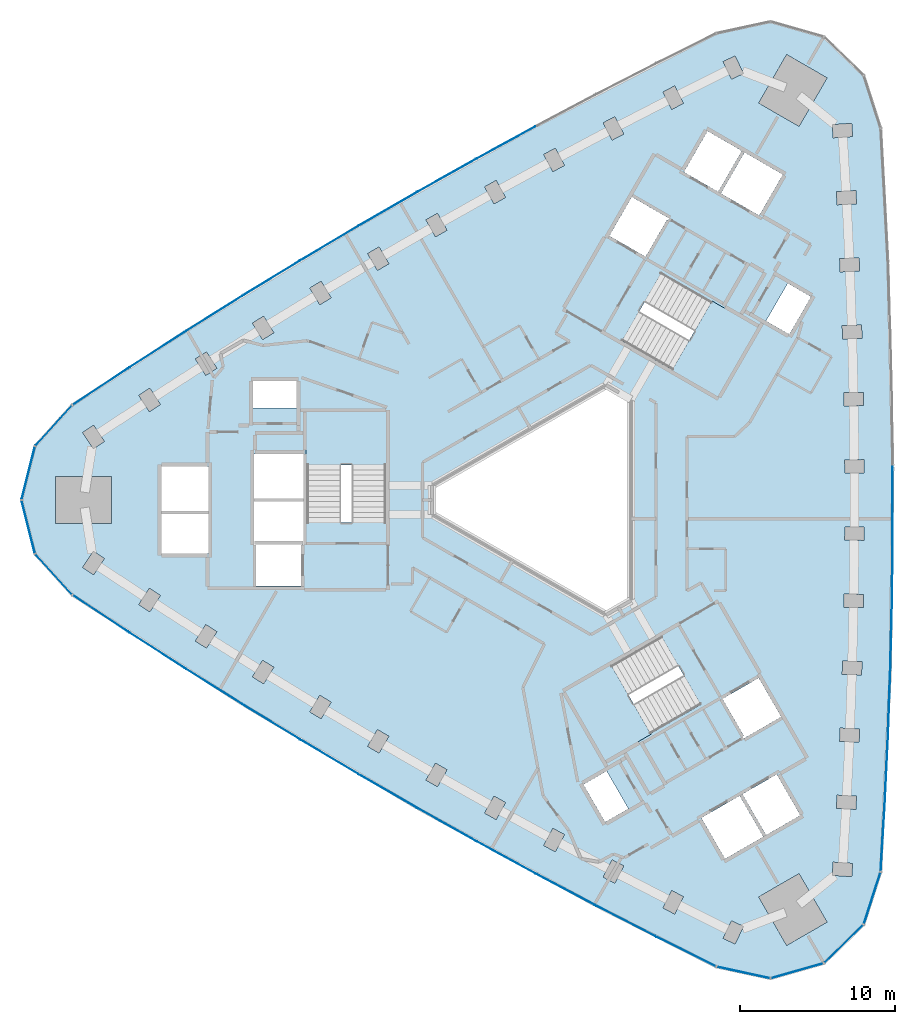
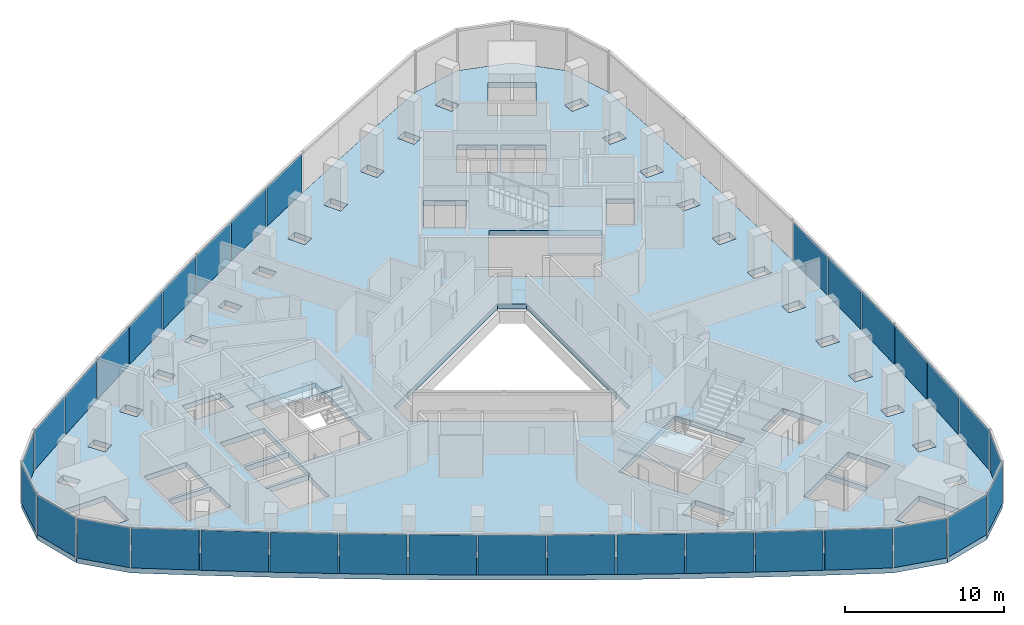
# One storey, part 6 of 12: 33 plates, 4 slabs, 6 elements without a shape of their own.
"""IFC4 building model written with IfcOpenShell, lengths in metres."""

from ifc_helpers import new_model, si_unit, direction, frame, origin, origin_2d, place, context, subcontext, project, spatial, polyline, rectangle, outline, extrude, material, layer, layer_set, type_object, element, aggregate, save


model = new_model("IFC4")

# Units and contexts
model_context = context("Model", 3, precision=1e-05, world=origin(), true_north=direction((0.0, 1.0)))
body_context = subcontext(model_context, "Body", "Model", "MODEL_VIEW")
ifc_project = project(units=[si_unit("LENGTHUNIT", "METRE"), si_unit("AREAUNIT", "SQUARE_METRE"), si_unit("VOLUMEUNIT", "CUBIC_METRE"), si_unit("PLANEANGLEUNIT", "RADIAN"), si_unit("MASSUNIT", "GRAM", prefix="KILO")], contexts=[model_context])

# Site, building, storey
site_placement = place(None, origin())
site = spatial("IfcSite", under=ifc_project, at=site_placement, CompositionType="ELEMENT")
building_placement = place(site_placement, origin())
building = spatial("IfcBuilding", under=site, at=building_placement, Name="Tamra Quay Hotel Tower", CompositionType="ELEMENT")
storey_placement = place(building_placement, frame((0.0, 0.0, 154.0)))
storey = spatial("IfcBuildingStorey", under=building, at=storey_placement, Name="L38", CompositionType="ELEMENT", Elevation=154.0)

# Stair, slab
ifc_material_1 = material(Name="Exit stair 2200 24 risers 150.0 going 342")
stair_type = type_object("IfcStairType", Name="Exit stair 2200 24 risers 150.0 going 342", PredefinedType="HALF_TURN_STAIR", material=ifc_material_1)
stair_1_placement = place(storey_placement, origin())
stair_1 = element("IfcStair", 1, at=stair_1_placement, inside=storey, type_object=stair_type, Name="L38 Exit stair ST3", PredefinedType="HALF_TURN_STAIR")
ifc_material_2 = material(Name="Concrete M70", Category="concrete")
ifc_layer_1 = layer(ifc_material_2, 0.175048828125)
ifc_layer_set_1 = layer_set([ifc_layer_1], Name="Concrete M70 stair landing 180")
slab_type_1 = type_object("IfcSlabType", Name="Concrete M70 stair landing 180", PredefinedType="LANDING", material=ifc_layer_set_1)
slab_1_placement = place(storey_placement, frame((0.0, 0.0, 1.625)))
slab_1 = element("IfcSlab", 2, at=slab_1_placement, type_object=slab_type_1, Name="ST3 landing 1", PredefinedType="LANDING", context=body_context, shape_type="SweptSolid", body=[
    extrude(outline(polyline([(-10.932373046875, 2.261962890625), (-10.932373046875, 5.679931640625), (-16.09130859375, 5.679931640625), (-16.09130859375, 2.261962890625), (-10.932373046875, 2.261962890625)])), origin(), (0.0, 0.0, 1.0), 0.175048828125),
])
aggregate(stair_1, [slab_1])

stair_2_placement = place(storey_placement, origin())
stair_2 = element("IfcStair", 3, at=stair_2_placement, inside=storey, type_object=stair_type, Name="L38 Exit stair ST1", PredefinedType="HALF_TURN_STAIR")
slab_2_placement = place(storey_placement, frame((0.0, 0.0, 1.625)))
slab_2 = element("IfcSlab", 4, at=slab_2_placement, type_object=slab_type_1, Name="ST1 landing 1", PredefinedType="LANDING", context=body_context, shape_type="SweptSolid", body=[
    extrude(outline(polyline([(7.425048828125, 8.336669921875), (10.385009765625, 6.627685546875), (12.964599609375, 11.095458984375), (10.00439453125, 12.804443359375), (7.425048828125, 8.336669921875)])), origin(), (0.0, 0.0, 1.0), 0.175048828125),
])
aggregate(stair_2, [slab_2])

stair_3_placement = place(storey_placement, origin())
stair_3 = element("IfcStair", 5, at=stair_3_placement, inside=storey, type_object=stair_type, Name="L38 Exit stair ST2", PredefinedType="HALF_TURN_STAIR")
slab_3_placement = place(storey_placement, frame((0.0, 0.0, 1.625)))
slab_3 = element("IfcSlab", 6, at=slab_3_placement, type_object=slab_type_1, Name="ST2 landing 1", PredefinedType="LANDING", context=body_context, shape_type="SweptSolid", body=[
    extrude(outline(polyline([(3.50732421875, -10.5986328125), (0.547119140625, -12.3076171875), (3.126708984375, -16.775390625), (6.086669921875, -15.06640625), (3.50732421875, -10.5986328125)])), origin(), (0.0, 0.0, 1.0), 0.175048828125),
])
aggregate(stair_3, [slab_3])

# Slab
ifc_material_3 = material(Name="Concrete M60", Category="concrete")
ifc_layer_2 = layer(ifc_material_3, 0.39990234375)
ifc_layer_set_2 = layer_set([ifc_layer_2], Name="FLOOR SLAB PT 400")
slab_type_2 = type_object("IfcSlabType", Name="FLOOR SLAB PT 400", PredefinedType="FLOOR", material=ifc_layer_set_2)
slab_4_placement = place(storey_placement, frame((0.0, 0.0, -0.39990234375)))
element("IfcSlab", 7, at=slab_4_placement, inside=storey, type_object=slab_type_2, Name="SLAB-L38", PredefinedType="FLOOR", context=body_context, shape_type="SweptSolid", body=[
    extrude(outline(polyline([(21.11181640625, 19.57421875), (21.319580078125, 15.228271484375), (21.4755859375, 10.87841796875), (21.57958984375, 6.527099609375), (21.631591796875, 2.17626953125), (21.631591796875, -2.17626953125), (21.57958984375, -6.527099609375), (21.4755859375, -10.87841796875), (21.319580078125, -15.228271484375), (21.11181640625, -19.57421875), (20.852294921875, -23.918212890625), (19.76171875, -27.31201171875), (17.199951171875, -29.791259765625), (13.772216796875, -30.770263671875), (10.28759765625, -30.017578125), (6.39599609375, -28.0703125), (2.5283203125, -26.077392578125), (-1.31689453125, -24.03759765625), (-5.13720703125, -21.951904296875), (-8.930908203125, -19.821533203125), (-12.700439453125, -17.645263671875), (-16.4423828125, -15.4248046875), (-20.15869140625, -13.1591796875), (-23.84765625, -10.84912109375), (-27.507568359375, -8.49609375), (-31.139892578125, -6.099365234375), (-33.53369140625, -3.4580078125), (-34.39990234375, 0.0), (-33.53369140625, 3.4580078125), (-31.139892578125, 6.099365234375), (-27.507568359375, 8.49609375), (-23.84765625, 10.84912109375), (-20.15869140625, 13.1591796875), (-16.4423828125, 15.4248046875), (-12.700439453125, 17.645263671875), (-8.930908203125, 19.821533203125), (-5.13720703125, 21.951904296875), (-1.31689453125, 24.03759765625), (2.5283203125, 26.077392578125), (6.39599609375, 28.0703125), (10.28759765625, 30.017578125), (13.772216796875, 30.770263671875), (17.199951171875, 29.791259765625), (19.76171875, 27.31201171875), (20.852294921875, 23.918212890625), (21.11181640625, 19.57421875)]), holes=[polyline([(-12.1396484375, -15.846435546875), (-11.406005859375, -16.27587890625), (-10.7744140625, -15.197265625), (-11.5078125, -14.767578125), (-12.1396484375, -15.846435546875)]), polyline([(-15.216796875, -12.561279296875), (-15.86083984375, -13.632568359375), (-15.13232421875, -14.0703125), (-14.48828125, -12.9990234375), (-15.216796875, -12.561279296875)]), polyline([(-18.898193359375, -10.310791015625), (-19.55517578125, -11.3740234375), (-18.83203125, -11.82080078125), (-18.175048828125, -10.757568359375), (-18.898193359375, -10.310791015625)]), polyline([(-22.55224609375, -8.016357421875), (-23.222412109375, -9.071533203125), (-22.5048828125, -9.527099609375), (-21.834716796875, -8.471923828125), (-22.55224609375, -8.016357421875)]), polyline([(-26.179931640625, -5.678466796875), (-26.862060546875, -6.725830078125), (-26.149658203125, -7.189697265625), (-25.467529296875, -6.142333984375), (-26.179931640625, -5.678466796875)]), polyline([(-16.3173828125, -2.85498046875), (-19.4072265625, -2.85498046875), (-19.4072265625, -2.89306640625), (-19.307373046875, -2.89306640625), (-19.307373046875, -5.544921875), (-16.417236328125, -5.544921875), (-16.417236328125, -2.89306640625), (-16.3173828125, -2.89306640625), (-16.3173828125, -2.85498046875)]), polyline([(-29.77880859375, -3.297607421875), (-30.473388671875, -4.3369140625), (-29.7666015625, -4.80908203125), (-29.072021484375, -3.77001953125), (-29.77880859375, -3.297607421875)]), polyline([(-22.3671875, -0.905029296875), (-25.4072265625, -0.905029296875), (-25.4072265625, -3.445068359375), (-22.3671875, -3.445068359375), (-22.3671875, -0.905029296875)]), polyline([(-19.417236328125, -2.89306640625), (-19.417236328125, -2.64501953125), (-16.307373046875, -2.64501953125), (-16.307373046875, -2.89306640625), (-16.26708984375, -2.89306640625), (-16.26708984375, -0.10498046875), (-19.45751953125, -0.10498046875), (-19.45751953125, -2.89306640625), (-19.417236328125, -2.89306640625)]), polyline([(-28.6142578125, 1.5), (-32.214111328125, 1.5), (-32.214111328125, -1.5), (-28.6142578125, -1.5), (-28.6142578125, 1.5)]), polyline([(-25.4072265625, -0.695068359375), (-22.3671875, -0.695068359375), (-22.3671875, 2.14501953125), (-25.4072265625, 2.14501953125), (-25.4072265625, -0.695068359375)]), polyline([(-19.45751953125, 0.10498046875), (-16.26708984375, 0.10498046875), (-16.26708984375, 2.945068359375), (-19.45751953125, 2.945068359375), (-19.45751953125, 0.10498046875)]), polyline([(-16.036376953125, -1.455078125), (-10.9873046875, -1.455078125), (-10.9873046875, 5.625), (-16.036376953125, 5.625), (-16.036376953125, -1.455078125)]), polyline([(-29.072021484375, 3.77001953125), (-29.7666015625, 4.80908203125), (-30.473388671875, 4.3369140625), (-29.77880859375, 3.297607421875), (-29.072021484375, 3.77001953125)]), polyline([(-26.149658203125, 7.189697265625), (-26.862060546875, 6.725830078125), (-26.179931640625, 5.678466796875), (-25.467529296875, 6.142333984375), (-26.149658203125, 7.189697265625)]), polyline([(-16.71728515625, 7.64501953125), (-19.50732421875, 7.64501953125), (-19.50732421875, 5.9150390625), (-16.71728515625, 5.9150390625), (-16.71728515625, 7.64501953125)]), polyline([(-21.834716796875, 8.471923828125), (-22.5048828125, 9.527099609375), (-23.222412109375, 9.071533203125), (-22.55224609375, 8.016357421875), (-21.834716796875, 8.471923828125)]), polyline([(-18.175048828125, 10.757568359375), (-18.83203125, 11.82080078125), (-19.55517578125, 11.3740234375), (-18.898193359375, 10.310791015625), (-18.175048828125, 10.757568359375)]), polyline([(-14.48828125, 12.9990234375), (-15.13232421875, 14.0703125), (-15.86083984375, 13.632568359375), (-15.216796875, 12.561279296875), (-14.48828125, 12.9990234375)]), polyline([(7.414306640625, -25.126708984375), (6.848388671875, -26.2412109375), (7.606201171875, -26.626220703125), (8.17236328125, -25.51171875), (7.414306640625, -25.126708984375)]), polyline([(3.580322265625, -23.1455078125), (3.00146484375, -24.25341796875), (3.7548828125, -24.64697265625), (4.333740234375, -23.5390625), (3.580322265625, -23.1455078125)]), polyline([(-0.821044921875, -22.219482421875), (-0.072509765625, -22.622314453125), (0.519775390625, -21.521484375), (-0.228759765625, -21.118896484375), (-0.821044921875, -22.219482421875)]), polyline([(13.3056640625, -21.65576171875), (11.78564453125, -19.02294921875), (9.325927734375, -20.443115234375), (10.845947265625, -23.075927734375), (13.3056640625, -21.65576171875)]), polyline([(-4.01318359375, -19.046875), (-4.619140625, -20.14013671875), (-3.875732421875, -20.55224609375), (-3.269775390625, -19.458740234375), (-4.01318359375, -19.046875)]), polyline([(1.73779296875, -18.300048828125), (3.1328125, -20.71630859375), (4.631103515625, -19.851318359375), (3.236083984375, -17.43505859375), (1.73779296875, -18.300048828125)]), polyline([(-7.77392578125, -16.9296875), (-8.392333984375, -18.01611328125), (-7.653564453125, -18.436279296875), (-7.035400390625, -17.35009765625), (-7.77392578125, -16.9296875)]), polyline([(9.2783203125, -13.160400390625), (6.75390625, -8.78759765625), (0.622314453125, -12.32763671875), (3.146728515625, -16.7001953125), (9.2783203125, -13.160400390625)]), polyline([(3.199951171875, 7.39013671875), (-8.0, 0.923828125), (-8.0, -0.923828125), (3.199951171875, -7.39013671875), (4.800048828125, -6.46630859375), (4.800048828125, 6.46630859375), (3.199951171875, 7.39013671875)]), polyline([(4.2333984375, 10.242919921875), (10.364990234375, 6.702880859375), (12.889404296875, 11.075439453125), (6.758056640625, 14.615478515625), (4.2333984375, 10.242919921875)]), polyline([(-10.7744140625, 15.197265625), (-11.406005859375, 16.27587890625), (-12.1396484375, 15.846435546875), (-11.5078125, 14.767578125), (-10.7744140625, 15.197265625)]), polyline([(5.736083984375, 15.645263671875), (7.111083984375, 18.02685546875), (7.19775390625, 17.976806640625), (7.267578125, 18.09814453125), (4.8515625, 19.4931640625), (3.406494140625, 16.990234375), (5.736083984375, 15.645263671875)]), polyline([(-7.035400390625, 17.35009765625), (-7.653564453125, 18.436279296875), (-8.392333984375, 18.01611328125), (-7.77392578125, 16.9296875), (-7.035400390625, 17.35009765625)]), polyline([(-3.269775390625, 19.458740234375), (-3.875732421875, 20.55224609375), (-4.619140625, 20.14013671875), (-4.01318359375, 19.046875), (-3.269775390625, 19.458740234375)]), polyline([(8.2001953125, 21.093017578125), (10.39990234375, 19.822998046875), (11.919921875, 22.455810546875), (9.72021484375, 23.725830078125), (8.2001953125, 21.093017578125)]), polyline([(0.519775390625, 21.521484375), (-0.072509765625, 22.622314453125), (-0.821044921875, 22.219482421875), (-0.228759765625, 21.118896484375), (0.519775390625, 21.521484375)]), polyline([(3.7548828125, 24.64697265625), (3.00146484375, 24.25341796875), (3.580322265625, 23.1455078125), (4.333740234375, 23.5390625), (3.7548828125, 24.64697265625)]), polyline([(8.17236328125, 25.51171875), (7.606201171875, 26.626220703125), (6.848388671875, 26.2412109375), (7.414306640625, 25.126708984375), (8.17236328125, 25.51171875)]), polyline([(12.03369140625, 27.43798828125), (11.480712890625, 28.55908203125), (10.718505859375, 28.18310546875), (11.271240234375, 27.06201171875), (12.03369140625, 27.43798828125)]), polyline([(11.271240234375, -27.06201171875), (10.718505859375, -28.18310546875), (11.480712890625, -28.55908203125), (12.03369140625, -27.43798828125), (11.271240234375, -27.06201171875)]), polyline([(13.008056640625, -25.53076171875), (14.80810546875, -28.648193359375), (17.406005859375, -27.148193359375), (15.606201171875, -24.03076171875), (13.008056640625, -25.53076171875)]), polyline([(17.7451171875, -24.140380859375), (18.99267578125, -24.22216796875), (19.048095703125, -23.3740234375), (17.80078125, -23.292236328125), (17.7451171875, -24.140380859375)]), polyline([(14.1669921875, -17.648193359375), (11.96728515625, -18.91796875), (13.487548828125, -21.55078125), (15.68701171875, -20.281005859375), (14.1669921875, -17.648193359375)]), polyline([(19.255859375, -19.900146484375), (19.301513671875, -19.051513671875), (18.05322265625, -18.984375), (18.007568359375, -19.833251953125), (19.255859375, -19.900146484375)]), polyline([(18.218505859375, -15.5224609375), (19.46728515625, -15.5751953125), (19.50341796875, -14.72607421875), (18.25439453125, -14.67333984375), (18.218505859375, -15.5224609375)]), polyline([(10.68115234375, -12.790283203125), (12.05615234375, -15.171875), (11.969482421875, -15.2216796875), (12.03955078125, -15.343017578125), (14.455810546875, -13.947998046875), (13.0107421875, -11.4453125), (10.68115234375, -12.790283203125)]), polyline([(18.37841796875, -11.2109375), (19.627685546875, -11.248291015625), (19.6533203125, -10.398681640625), (18.40380859375, -10.361328125), (18.37841796875, -11.2109375)]), polyline([(18.48681640625, -6.897705078125), (19.736572265625, -6.919677734375), (19.75146484375, -6.06982421875), (18.501708984375, -6.0478515625), (18.48681640625, -6.897705078125)]), polyline([(18.543212890625, -2.582275390625), (19.793212890625, -2.590087890625), (19.79833984375, -1.739990234375), (18.54833984375, -1.732421875), (18.543212890625, -2.582275390625)]), polyline([(18.54833984375, 1.732421875), (19.79833984375, 1.739990234375), (19.793212890625, 2.590087890625), (18.543212890625, 2.582275390625), (18.54833984375, 1.732421875)]), polyline([(18.501708984375, 6.0478515625), (19.75146484375, 6.06982421875), (19.736572265625, 6.919677734375), (18.48681640625, 6.897705078125), (18.501708984375, 6.0478515625)]), polyline([(18.40380859375, 10.361328125), (19.6533203125, 10.398681640625), (19.627685546875, 11.248291015625), (18.37841796875, 11.2109375), (18.40380859375, 10.361328125)]), polyline([(14.9794921875, 10.655029296875), (16.37451171875, 13.0712890625), (14.876220703125, 13.936279296875), (13.481201171875, 11.52001953125), (14.9794921875, 10.655029296875)]), polyline([(18.25439453125, 14.67333984375), (19.50341796875, 14.72607421875), (19.46728515625, 15.5751953125), (18.218505859375, 15.5224609375), (18.25439453125, 14.67333984375)]), polyline([(18.05322265625, 18.984375), (19.301513671875, 19.051513671875), (19.255859375, 19.900146484375), (18.007568359375, 19.833251953125), (18.05322265625, 18.984375)]), polyline([(12.101806640625, 22.350830078125), (10.58154296875, 19.718017578125), (13.041259765625, 18.298095703125), (14.561279296875, 20.930908203125), (12.101806640625, 22.350830078125)]), polyline([(17.80078125, 23.292236328125), (19.048095703125, 23.3740234375), (18.99267578125, 24.22216796875), (17.7451171875, 24.140380859375), (17.80078125, 23.292236328125)]), polyline([(15.606201171875, 24.03076171875), (17.406005859375, 27.148193359375), (14.80810546875, 28.648193359375), (13.008056640625, 25.53076171875), (15.606201171875, 24.03076171875)])]), origin(), (0.0, 0.0, 1.0), 0.39990234375),
])

# Curtain wall, plates
ifc_material_4 = material(Name="Aluminium 6063 anodised dark grey", Category="aluminium")
curtain_wall_type_1 = type_object("IfcCurtainWallType", Name="CW1 CURTAIN WALL", PredefinedType="NOTDEFINED", material=ifc_material_4)
curtain_wall_1_placement = place(storey_placement, origin())
curtain_wall_1 = element("IfcCurtainWall", 8, at=curtain_wall_1_placement, inside=storey, type_object=curtain_wall_type_1, Name="CW1 east face L38", PredefinedType="NOTDEFINED")
ifc_material_5 = material(Name="Glass clear laminated low-iron", Category="glass")
ifc_layer_3 = layer(ifc_material_5, 0.031982421875)
ifc_layer_set_3 = layer_set([ifc_layer_3], Name="GLASS PANEL CW1 Z3")
plate_type_1 = type_object("IfcPlateType", Name="GLASS PANEL CW1 Z3", PredefinedType="CURTAIN_PANEL", material=ifc_layer_set_3)
plate_1_placement = place(storey_placement, frame((20.98193359375, -21.74609375, 0.0), z_axis=(0.0, 0.0, 1.0), x_axis=(0.059641629271, 0.998219853568, 0.0)))
plate_1 = element("IfcPlate", 9, at=plate_1_placement, type_object=plate_type_1, Name="CW1 glass L38.E.1", PredefinedType="CURTAIN_PANEL", context=body_context, shape_type="SweptSolid", body=[
    extrude(rectangle(XDim=4.251708984375, YDim=0.031982421875, at=origin_2d()), origin(), (0.0, 0.0, 1.0), 3.06005859375),
])
plate_2_placement = place(storey_placement, frame((21.215576171875, -17.401123046875, 0.0), z_axis=(0.0, 0.0, 1.0), x_axis=(0.047747439326, 0.998859440581, 0.0)))
plate_2 = element("IfcPlate", 10, at=plate_2_placement, type_object=plate_type_1, Name="CW1 glass L38.E.2", PredefinedType="CURTAIN_PANEL", context=body_context, shape_type="SweptSolid", body=[
    extrude(rectangle(XDim=4.2509765625, YDim=0.031982421875, at=origin_2d()), origin(), (0.0, 0.0, 1.0), 3.06005859375),
])
plate_3_placement = place(storey_placement, frame((21.3974609375, -13.05322265625, 0.0), z_axis=(0.0, 0.0, 1.0), x_axis=(0.035845418958, 0.999357346468, 0.0)))
plate_3 = element("IfcPlate", 11, at=plate_3_placement, type_object=plate_type_1, Name="CW1 glass L38.E.3", PredefinedType="CURTAIN_PANEL", context=body_context, shape_type="SweptSolid", body=[
    extrude(rectangle(XDim=4.252685546875, YDim=0.031982421875, at=origin_2d()), origin(), (0.0, 0.0, 1.0), 3.06005859375),
])
plate_4_placement = place(storey_placement, frame((21.527587890625, -8.70263671875, 0.0), z_axis=(0.0, 0.0, 1.0), x_axis=(0.023895852937, 0.999714453338, 0.0)))
plate_4 = element("IfcPlate", 12, at=plate_4_placement, type_object=plate_type_1, Name="CW1 glass L38.E.4", PredefinedType="CURTAIN_PANEL", context=body_context, shape_type="SweptSolid", body=[
    extrude(rectangle(XDim=4.252685546875, YDim=0.031982421875, at=origin_2d()), origin(), (0.0, 0.0, 1.0), 3.06005859375),
])
plate_5_placement = place(storey_placement, frame((21.60546875, -4.3515625, 0.0), z_axis=(0.0, 0.0, 1.0), x_axis=(0.011956859788, 0.999928514197, 0.0)))
plate_5 = element("IfcPlate", 13, at=plate_5_placement, type_object=plate_type_1, Name="CW1 glass L38.E.5", PredefinedType="CURTAIN_PANEL", context=body_context, shape_type="SweptSolid", body=[
    extrude(rectangle(XDim=4.2509765625, YDim=0.031982421875, at=origin_2d()), origin(), (0.0, 0.0, 1.0), 3.06005859375),
])
plate_6_placement = place(storey_placement, frame((21.631591796875, 0.0, 0.0), z_axis=(0.0, 0.0, 1.0), x_axis=(0.0, 1.0, 0.0)))
plate_6 = element("IfcPlate", 14, at=plate_6_placement, type_object=plate_type_1, Name="CW1 glass L38.E.6", PredefinedType="CURTAIN_PANEL", context=body_context, shape_type="SweptSolid", body=[
    extrude(rectangle(XDim=4.252685546875, YDim=0.031982421875, at=origin_2d()), origin(), (0.0, 0.0, 1.0), 3.06005859375),
])
aggregate(curtain_wall_1, [plate_1, plate_2, plate_3, plate_4, plate_5, plate_6])

curtain_wall_type_2 = type_object("IfcCurtainWallType", Name="CW2 CURTAIN WALL", PredefinedType="NOTDEFINED", material=ifc_material_4)
curtain_wall_2_placement = place(storey_placement, origin())
curtain_wall_2 = element("IfcCurtainWall", 15, at=curtain_wall_2_placement, inside=storey, type_object=curtain_wall_type_2, Name="CW2 north-west face L38", PredefinedType="NOTDEFINED")
ifc_layer_4 = layer(ifc_material_5, 0.031982421875)
ifc_layer_set_4 = layer_set([ifc_layer_4], Name="GLASS PANEL CW2 Z3")
plate_type_2 = type_object("IfcPlateType", Name="GLASS PANEL CW2 Z3", PredefinedType="CURTAIN_PANEL", material=ifc_layer_set_4)
plate_7_placement = place(storey_placement, frame((-3.22705078125, 22.99462890625, 0.0), z_axis=(0.0, 0.0, 1.0), x_axis=(-0.877726039589, -0.479162810981, 0.0)))
plate_7 = element("IfcPlate", 16, at=plate_7_placement, type_object=plate_type_2, Name="CW2 glass L38.NW.4", PredefinedType="CURTAIN_PANEL", context=body_context, shape_type="SweptSolid", body=[
    extrude(rectangle(XDim=4.252685546875, YDim=0.031982421875, at=origin_2d()), origin(), (0.0, 0.0, 1.0), 3.06005859375),
])
plate_8_placement = place(storey_placement, frame((-7.0341796875, 20.88671875, 0.0), z_axis=(0.0, 0.0, 1.0), x_axis=(-0.871941925157, -0.489609312772, 0.0)))
plate_8 = element("IfcPlate", 17, at=plate_8_placement, type_object=plate_type_2, Name="CW2 glass L38.NW.5", PredefinedType="CURTAIN_PANEL", context=body_context, shape_type="SweptSolid", body=[
    extrude(rectangle(XDim=4.2509765625, YDim=0.031982421875, at=origin_2d()), origin(), (0.0, 0.0, 1.0), 3.06005859375),
])
plate_9_placement = place(storey_placement, frame((-10.815673828125, 18.7333984375, 0.0), z_axis=(0.0, 0.0, 1.0), x_axis=(-0.866025403784, -0.5, 0.0)))
plate_9 = element("IfcPlate", 18, at=plate_9_placement, type_object=plate_type_2, Name="CW2 glass L38.NW.6", PredefinedType="CURTAIN_PANEL", context=body_context, shape_type="SweptSolid", body=[
    extrude(rectangle(XDim=4.252685546875, YDim=0.031982421875, at=origin_2d()), origin(), (0.0, 0.0, 1.0), 3.06005859375),
])
plate_10_placement = place(storey_placement, frame((-14.571533203125, 16.53515625, 0.0), z_axis=(0.0, 0.0, 1.0), x_axis=(-0.859985065369, -0.510319201424, 0.0)))
plate_10 = element("IfcPlate", 19, at=plate_10_placement, type_object=plate_type_2, Name="CW2 glass L38.NW.7", PredefinedType="CURTAIN_PANEL", context=body_context, shape_type="SweptSolid", body=[
    extrude(rectangle(XDim=4.2509765625, YDim=0.031982421875, at=origin_2d()), origin(), (0.0, 0.0, 1.0), 3.06005859375),
])
plate_11_placement = place(storey_placement, frame((-18.300537109375, 14.2919921875, 0.0), z_axis=(0.0, 0.0, 1.0), x_axis=(-0.853830186653, -0.520551642357, 0.0)))
plate_11 = element("IfcPlate", 20, at=plate_11_placement, type_object=plate_type_2, Name="CW2 glass L38.NW.8", PredefinedType="CURTAIN_PANEL", context=body_context, shape_type="SweptSolid", body=[
    extrude(rectangle(XDim=4.252685546875, YDim=0.031982421875, at=origin_2d()), origin(), (0.0, 0.0, 1.0), 3.06005859375),
])
plate_12_placement = place(storey_placement, frame((-22.003173828125, 12.004150390625, 0.0), z_axis=(0.0, 0.0, 1.0), x_axis=(-0.847546140021, -0.530721716661, 0.0)))
plate_12 = element("IfcPlate", 21, at=plate_12_placement, type_object=plate_type_2, Name="CW2 glass L38.NW.9", PredefinedType="CURTAIN_PANEL", context=body_context, shape_type="SweptSolid", body=[
    extrude(rectangle(XDim=4.252685546875, YDim=0.031982421875, at=origin_2d()), origin(), (0.0, 0.0, 1.0), 3.06005859375),
])
plate_13_placement = place(storey_placement, frame((-25.677734375, 9.672607421875, 0.0), z_axis=(0.0, 0.0, 1.0), x_axis=(-0.84116393069, -0.540780215713, 0.0)))
plate_13 = element("IfcPlate", 22, at=plate_13_placement, type_object=plate_type_2, Name="CW2 glass L38.NW.10", PredefinedType="CURTAIN_PANEL", context=body_context, shape_type="SweptSolid", body=[
    extrude(rectangle(XDim=4.2509765625, YDim=0.031982421875, at=origin_2d()), origin(), (0.0, 0.0, 1.0), 3.06005859375),
])
plate_14_placement = place(storey_placement, frame((-29.32373046875, 7.2978515625, 0.0), z_axis=(0.0, 0.0, 1.0), x_axis=(-0.834662937117, -0.550761092856, 0.0)))
plate_14 = element("IfcPlate", 23, at=plate_14_placement, type_object=plate_type_2, Name="CW2 glass L38.NW.11", PredefinedType="CURTAIN_PANEL", context=body_context, shape_type="SweptSolid", body=[
    extrude(rectangle(XDim=4.251708984375, YDim=0.031982421875, at=origin_2d()), origin(), (0.0, 0.0, 1.0), 3.06005859375),
])
plate_15_placement = place(storey_placement, frame((-32.3369140625, 4.77880859375, 0.0), z_axis=(0.0, 0.0, 1.0), x_axis=(-0.671549804177, -0.740959418936, 0.0)))
plate_15 = element("IfcPlate", 24, at=plate_15_placement, type_object=plate_type_2, Name="CW2 glass L38.NW.12", PredefinedType="CURTAIN_PANEL", context=body_context, shape_type="SweptSolid", body=[
    extrude(rectangle(XDim=3.46484375, YDim=0.031982421875, at=origin_2d()), origin(), (0.0, 0.0, 1.0), 3.06005859375),
])
plate_16_placement = place(storey_placement, frame((-33.967041015625, 1.72900390625, 0.0), z_axis=(0.0, 0.0, 1.0), x_axis=(-0.242976186667, -0.970032253439, 0.0)))
plate_16 = element("IfcPlate", 25, at=plate_16_placement, type_object=plate_type_2, Name="CW2 glass L38.NW.13", PredefinedType="CURTAIN_PANEL", context=body_context, shape_type="SweptSolid", body=[
    extrude(rectangle(XDim=3.46484375, YDim=0.031982421875, at=origin_2d()), origin(), (0.0, 0.0, 1.0), 3.06005859375),
])
plate_17_placement = place(storey_placement, frame((-33.967041015625, -1.72900390625, 0.0), z_axis=(0.0, 0.0, 1.0), x_axis=(0.242976186667, -0.970032253439, 0.0)))
plate_17 = element("IfcPlate", 26, at=plate_17_placement, type_object=plate_type_2, Name="CW2 glass L38.NW.14", PredefinedType="CURTAIN_PANEL", context=body_context, shape_type="SweptSolid", body=[
    extrude(rectangle(XDim=3.46484375, YDim=0.031982421875, at=origin_2d()), origin(), (0.0, 0.0, 1.0), 3.06005859375),
])
plate_18_placement = place(storey_placement, frame((-32.3369140625, -4.77880859375, 0.0), z_axis=(0.0, 0.0, 1.0), x_axis=(0.671549804177, -0.740959418936, 0.0)))
plate_18 = element("IfcPlate", 27, at=plate_18_placement, type_object=plate_type_2, Name="CW2 glass L38.NW.15", PredefinedType="CURTAIN_PANEL", context=body_context, shape_type="SweptSolid", body=[
    extrude(rectangle(XDim=3.46484375, YDim=0.031982421875, at=origin_2d()), origin(), (0.0, 0.0, 1.0), 3.06005859375),
])
aggregate(curtain_wall_2, [plate_7, plate_8, plate_9, plate_10, plate_11, plate_12, plate_13, plate_14, plate_15, plate_16, plate_17, plate_18])

curtain_wall_type_3 = type_object("IfcCurtainWallType", Name="CW3 CURTAIN WALL", PredefinedType="NOTDEFINED", material=ifc_material_4)
curtain_wall_3_placement = place(storey_placement, origin())
curtain_wall_3 = element("IfcCurtainWall", 28, at=curtain_wall_3_placement, inside=storey, type_object=curtain_wall_type_3, Name="CW3 south-west face L38", PredefinedType="NOTDEFINED")
ifc_layer_5 = layer(ifc_material_5, 0.031982421875)
ifc_layer_set_5 = layer_set([ifc_layer_5], Name="GLASS PANEL CW3 Z3")
plate_type_3 = type_object("IfcPlateType", Name="GLASS PANEL CW3 Z3", PredefinedType="CURTAIN_PANEL", material=ifc_layer_set_5)
plate_19_placement = place(storey_placement, frame((-29.32373046875, -7.2978515625, 0.0), z_axis=(0.0, 0.0, 1.0), x_axis=(0.834662937117, -0.550761092856, 0.0)))
plate_19 = element("IfcPlate", 29, at=plate_19_placement, type_object=plate_type_3, Name="CW3 glass L38.SW.1", PredefinedType="CURTAIN_PANEL", context=body_context, shape_type="SweptSolid", body=[
    extrude(rectangle(XDim=4.251708984375, YDim=0.031982421875, at=origin_2d()), origin(), (0.0, 0.0, 1.0), 3.06005859375),
])
plate_20_placement = place(storey_placement, frame((-25.677734375, -9.672607421875, 0.0), z_axis=(0.0, 0.0, 1.0), x_axis=(0.84116393069, -0.540780215713, 0.0)))
plate_20 = element("IfcPlate", 30, at=plate_20_placement, type_object=plate_type_3, Name="CW3 glass L38.SW.2", PredefinedType="CURTAIN_PANEL", context=body_context, shape_type="SweptSolid", body=[
    extrude(rectangle(XDim=4.2509765625, YDim=0.031982421875, at=origin_2d()), origin(), (0.0, 0.0, 1.0), 3.06005859375),
])
plate_21_placement = place(storey_placement, frame((-22.003173828125, -12.004150390625, 0.0), z_axis=(0.0, 0.0, 1.0), x_axis=(0.847546140021, -0.530721716661, 0.0)))
plate_21 = element("IfcPlate", 31, at=plate_21_placement, type_object=plate_type_3, Name="CW3 glass L38.SW.3", PredefinedType="CURTAIN_PANEL", context=body_context, shape_type="SweptSolid", body=[
    extrude(rectangle(XDim=4.252685546875, YDim=0.031982421875, at=origin_2d()), origin(), (0.0, 0.0, 1.0), 3.06005859375),
])
plate_22_placement = place(storey_placement, frame((-18.300537109375, -14.2919921875, 0.0), z_axis=(0.0, 0.0, 1.0), x_axis=(0.853830186653, -0.520551642357, 0.0)))
plate_22 = element("IfcPlate", 32, at=plate_22_placement, type_object=plate_type_3, Name="CW3 glass L38.SW.4", PredefinedType="CURTAIN_PANEL", context=body_context, shape_type="SweptSolid", body=[
    extrude(rectangle(XDim=4.252685546875, YDim=0.031982421875, at=origin_2d()), origin(), (0.0, 0.0, 1.0), 3.06005859375),
])
plate_23_placement = place(storey_placement, frame((-14.571533203125, -16.53515625, 0.0), z_axis=(0.0, 0.0, 1.0), x_axis=(0.859985065369, -0.510319201424, 0.0)))
plate_23 = element("IfcPlate", 33, at=plate_23_placement, type_object=plate_type_3, Name="CW3 glass L38.SW.5", PredefinedType="CURTAIN_PANEL", context=body_context, shape_type="SweptSolid", body=[
    extrude(rectangle(XDim=4.2509765625, YDim=0.031982421875, at=origin_2d()), origin(), (0.0, 0.0, 1.0), 3.06005859375),
])
plate_24_placement = place(storey_placement, frame((-10.815673828125, -18.7333984375, 0.0), z_axis=(0.0, 0.0, 1.0), x_axis=(0.866025403784, -0.5, 0.0)))
plate_24 = element("IfcPlate", 34, at=plate_24_placement, type_object=plate_type_3, Name="CW3 glass L38.SW.6", PredefinedType="CURTAIN_PANEL", context=body_context, shape_type="SweptSolid", body=[
    extrude(rectangle(XDim=4.252685546875, YDim=0.031982421875, at=origin_2d()), origin(), (0.0, 0.0, 1.0), 3.06005859375),
])
plate_25_placement = place(storey_placement, frame((-7.0341796875, -20.88671875, 0.0), z_axis=(0.0, 0.0, 1.0), x_axis=(0.871941925157, -0.489609312772, 0.0)))
plate_25 = element("IfcPlate", 35, at=plate_25_placement, type_object=plate_type_3, Name="CW3 glass L38.SW.7", PredefinedType="CURTAIN_PANEL", context=body_context, shape_type="SweptSolid", body=[
    extrude(rectangle(XDim=4.2509765625, YDim=0.031982421875, at=origin_2d()), origin(), (0.0, 0.0, 1.0), 3.06005859375),
])
plate_26_placement = place(storey_placement, frame((-3.22705078125, -22.99462890625, 0.0), z_axis=(0.0, 0.0, 1.0), x_axis=(0.877726039589, -0.479162810981, 0.0)))
plate_26 = element("IfcPlate", 36, at=plate_26_placement, type_object=plate_type_3, Name="CW3 glass L38.SW.8", PredefinedType="CURTAIN_PANEL", context=body_context, shape_type="SweptSolid", body=[
    extrude(rectangle(XDim=4.252685546875, YDim=0.031982421875, at=origin_2d()), origin(), (0.0, 0.0, 1.0), 3.06005859375),
])
plate_27_placement = place(storey_placement, frame((0.605712890625, -25.057373046875, 0.0), z_axis=(0.0, 0.0, 1.0), x_axis=(0.883391558979, -0.468635629808, 0.0)))
plate_27 = element("IfcPlate", 37, at=plate_27_placement, type_object=plate_type_3, Name="CW3 glass L38.SW.9", PredefinedType="CURTAIN_PANEL", context=body_context, shape_type="SweptSolid", body=[
    extrude(rectangle(XDim=4.252685546875, YDim=0.031982421875, at=origin_2d()), origin(), (0.0, 0.0, 1.0), 3.06005859375),
])
plate_28_placement = place(storey_placement, frame((4.462158203125, -27.073974609375, 0.0), z_axis=(0.0, 0.0, 1.0), x_axis=(0.888911370016, -0.458079224868, 0.0)))
plate_28 = element("IfcPlate", 38, at=plate_28_placement, type_object=plate_type_3, Name="CW3 glass L38.SW.10", PredefinedType="CURTAIN_PANEL", context=body_context, shape_type="SweptSolid", body=[
    extrude(rectangle(XDim=4.2509765625, YDim=0.031982421875, at=origin_2d()), origin(), (0.0, 0.0, 1.0), 3.06005859375),
])
plate_29_placement = place(storey_placement, frame((8.341796875, -29.0439453125, 0.0), z_axis=(0.0, 0.0, 1.0), x_axis=(0.894304566387, -0.447458760713, 0.0)))
plate_29 = element("IfcPlate", 39, at=plate_29_placement, type_object=plate_type_3, Name="CW3 glass L38.SW.11", PredefinedType="CURTAIN_PANEL", context=body_context, shape_type="SweptSolid", body=[
    extrude(rectangle(XDim=4.251708984375, YDim=0.031982421875, at=origin_2d()), origin(), (0.0, 0.0, 1.0), 3.06005859375),
])
plate_30_placement = place(storey_placement, frame((12.030029296875, -30.393798828125, 0.0), z_axis=(0.0, 0.0, 1.0), x_axis=(0.97746458206, -0.211099480856, 0.0)))
plate_30 = element("IfcPlate", 40, at=plate_30_placement, type_object=plate_type_3, Name="CW3 glass L38.SW.12", PredefinedType="CURTAIN_PANEL", context=body_context, shape_type="SweptSolid", body=[
    extrude(rectangle(XDim=3.46484375, YDim=0.031982421875, at=origin_2d()), origin(), (0.0, 0.0, 1.0), 3.06005859375),
])
plate_31_placement = place(storey_placement, frame((15.486083984375, -30.28076171875, 0.0), z_axis=(0.0, 0.0, 1.0), x_axis=(0.961560667302, 0.274592576551, 0.0)))
plate_31 = element("IfcPlate", 41, at=plate_31_placement, type_object=plate_type_3, Name="CW3 glass L38.SW.13", PredefinedType="CURTAIN_PANEL", context=body_context, shape_type="SweptSolid", body=[
    extrude(rectangle(XDim=3.46484375, YDim=0.031982421875, at=origin_2d()), origin(), (0.0, 0.0, 1.0), 3.06005859375),
])
plate_32_placement = place(storey_placement, frame((18.480712890625, -28.5517578125, 0.0), z_axis=(0.0, 0.0, 1.0), x_axis=(0.718584480635, 0.695439676888, 0.0)))
plate_32 = element("IfcPlate", 42, at=plate_32_placement, type_object=plate_type_3, Name="CW3 glass L38.SW.14", PredefinedType="CURTAIN_PANEL", context=body_context, shape_type="SweptSolid", body=[
    extrude(rectangle(XDim=3.46484375, YDim=0.031982421875, at=origin_2d()), origin(), (0.0, 0.0, 1.0), 3.06005859375),
])
plate_33_placement = place(storey_placement, frame((20.306884765625, -25.615234375, 0.0), z_axis=(0.0, 0.0, 1.0), x_axis=(0.305914777883, 0.952058899792, 0.0)))
plate_33 = element("IfcPlate", 43, at=plate_33_placement, type_object=plate_type_3, Name="CW3 glass L38.SW.15", PredefinedType="CURTAIN_PANEL", context=body_context, shape_type="SweptSolid", body=[
    extrude(rectangle(XDim=3.46484375, YDim=0.031982421875, at=origin_2d()), origin(), (0.0, 0.0, 1.0), 3.06005859375),
])
aggregate(curtain_wall_3, [plate_19, plate_20, plate_21, plate_22, plate_23, plate_24, plate_25, plate_26, plate_27, plate_28, plate_29, plate_30, plate_31, plate_32, plate_33])

save(model, "model.ifc")
